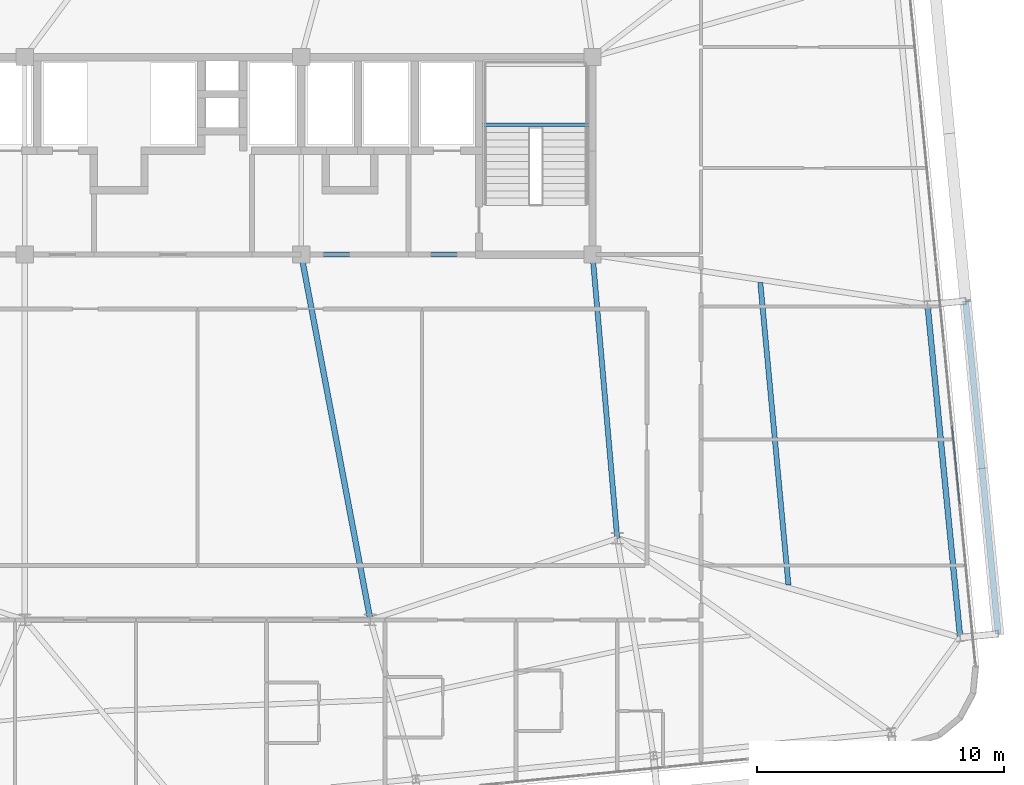
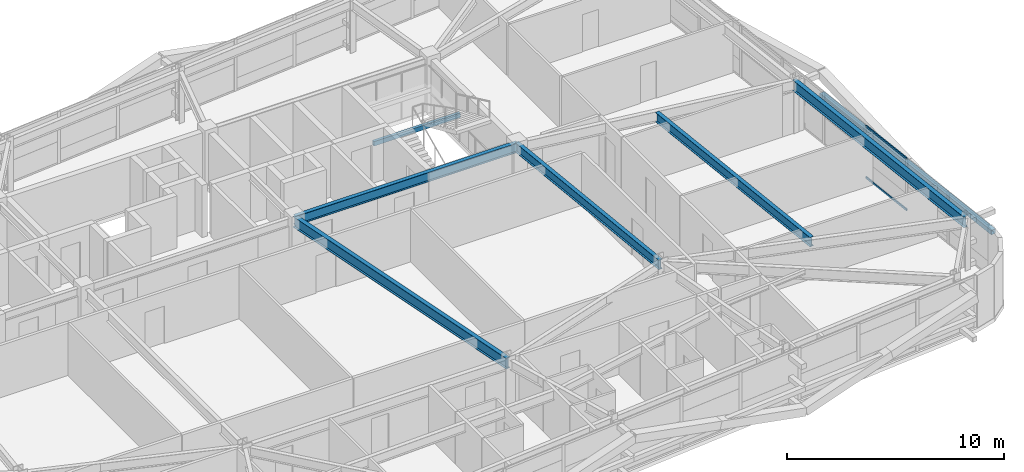
# One storey, part 23 of 53: 6 beams, 3 members, 1 element without a shape of its own.
"""IFC4 building model written with IfcOpenShell, lengths in metres."""

from ifc_helpers import new_model, si_unit, direction, frame, origin, origin_2d, place, context, subcontext, project, spatial, hollow_rectangle, i_section, extrude, source, transform, mapped, material, layer, layer_set, material_profile, profile_set, type_object, element, aggregate, save


model = new_model("IFC4")

# Units and contexts
model_context = context("Model", 3, precision=1e-05, world=origin(), true_north=direction((0.0, 1.0)))
body_context = subcontext(model_context, "Body", "Model", "MODEL_VIEW")
ifc_project = project(units=[si_unit("LENGTHUNIT", "METRE"), si_unit("AREAUNIT", "SQUARE_METRE"), si_unit("VOLUMEUNIT", "CUBIC_METRE"), si_unit("PLANEANGLEUNIT", "RADIAN"), si_unit("MASSUNIT", "GRAM", prefix="KILO")], contexts=[model_context])

# Site, building, storey
site_placement = place(None, origin())
site = spatial("IfcSite", under=ifc_project, at=site_placement, CompositionType="ELEMENT")
building_placement = place(site_placement, origin())
building = spatial("IfcBuilding", under=site, at=building_placement, Name="Taldren Reach Tower", CompositionType="ELEMENT")
storey_placement = place(building_placement, frame((0.0, 0.0, 68.25)))
storey = spatial("IfcBuildingStorey", under=building, at=storey_placement, Name="L20", CompositionType="ELEMENT", Elevation=68.25)

# Beams
ifc_material_1 = material(Name="Steel Gr 350 (350PLUS)", Category="steel")
ifc_material_profile_1 = material_profile(ifc_material_1, i_section(OverallWidth=0.208984375, OverallDepth=0.532958984375, WebThickness=0.01025390625, FlangeThickness=0.015625, at=origin_2d()), Name="530UB92.4")
ifc_profile_set_1 = profile_set([ifc_material_profile_1], Name="Steel Gr 350 (350PLUS)")
beam_type_1 = type_object("IfcBeamType", Name="BM-UB530A", PredefinedType="BEAM", material=ifc_profile_set_1)
shared_shape_1 = source(origin(), body_context, "Body", "SweptSolid", [
    extrude(i_section(OverallWidth=0.208984375, OverallDepth=0.532958984375, WebThickness=0.01025390625, FlangeThickness=0.015625, at=origin_2d()), origin(), (0.0, 0.0, 1.0), 11.800048828125),
])
beam_1_placement = place(storey_placement, frame((39.199951171875, 24.0, 2.66357421875), z_axis=(1.0, 0.0, 0.0), x_axis=(0.0, 1.0, 0.0)))
element("IfcBeam", 1, at=beam_1_placement, inside=storey, type_object=beam_type_1, Name="Core-spine girder L20-SP03", PredefinedType="BEAM", context=body_context, shape_type="MappedRepresentation", body=[
    mapped(shared_shape_1, transform((0.0, 0.0, 0.0), scale=1.0)),
])
shared_shape_2 = source(origin(), body_context, "Body", "SweptSolid", [
    extrude(i_section(OverallWidth=0.208984375, OverallDepth=0.532958984375, WebThickness=0.01025390625, FlangeThickness=0.015625, at=origin_2d()), origin(), (0.0, 0.0, 1.0), 11.54345703125),
])
beam_2_placement = place(storey_placement, frame((52.0, 12.5, 2.66357421875), z_axis=(-0.086629616365, 0.996240588196, 0.0), x_axis=(-0.996240588196, -0.086629616365, 0.0)))
element("IfcBeam", 2, at=beam_2_placement, inside=storey, type_object=beam_type_1, Name="Core-spine girder L20-SP13", PredefinedType="BEAM", context=body_context, shape_type="MappedRepresentation", body=[
    mapped(shared_shape_2, transform((0.0, 0.0, 0.0), scale=1.0)),
])
ifc_material_profile_2 = material_profile(ifc_material_1, i_section(OverallWidth=0.22802734375, OverallDepth=0.60205078125, WebThickness=0.010498046875, FlangeThickness=0.014892578125, at=origin_2d()), Name="610UB101")
ifc_profile_set_2 = profile_set([ifc_material_profile_2], Name="Steel Gr 350 (350PLUS)")
beam_type_2 = type_object("IfcBeamType", Name="BM-UB610B", PredefinedType="BEAM", material=ifc_profile_set_2)
shared_shape_3 = source(origin(), body_context, "Body", "SweptSolid", [
    extrude(i_section(OverallWidth=0.22802734375, OverallDepth=0.60205078125, WebThickness=0.010498046875, FlangeThickness=0.014892578125, at=origin_2d()), origin(), (0.0, 0.0, 1.0), 15.0625),
])
beam_3_placement = place(storey_placement, frame((39.199951171875, 24.0, 2.62890625), z_axis=(0.185894205668, -0.982569765614, 0.0), x_axis=(0.982569765614, 0.185894205668, 0.0)))
element("IfcBeam", 3, at=beam_3_placement, inside=storey, type_object=beam_type_2, Name="Core-spine girder L20-SP15", PredefinedType="BEAM", context=body_context, shape_type="MappedRepresentation", body=[
    mapped(shared_shape_3, transform((0.0, 0.0, 0.0), scale=1.0)),
])
shared_shape_4 = source(origin(), body_context, "Body", "SweptSolid", [
    extrude(i_section(OverallWidth=0.22802734375, OverallDepth=0.60205078125, WebThickness=0.010498046875, FlangeThickness=0.014892578125, at=origin_2d()), origin(), (0.0, 0.0, 1.0), 13.550048828125),
])
beam_4_placement = place(storey_placement, frame((65.8916015625, 8.483642578125, 2.62890625), z_axis=(-0.097566175139, 0.995229039703, 0.0), x_axis=(-0.995229039703, -0.097566175139, 0.0)))
element("IfcBeam", 4, at=beam_4_placement, inside=storey, type_object=beam_type_2, Name="Perimeter gable girder B2 E1-E2 L20", PredefinedType="BEAM", context=body_context, shape_type="MappedRepresentation", body=[
    mapped(shared_shape_4, transform((0.0, 0.0, 0.0), scale=1.0)),
])
shared_shape_5 = source(origin(), body_context, "Body", "SweptSolid", [
    extrude(i_section(OverallWidth=0.208984375, OverallDepth=0.532958984375, WebThickness=0.01025390625, FlangeThickness=0.015625, at=origin_2d()), origin(), (0.0, 0.0, 1.0), 12.306396484375),
])
beam_5_placement = place(storey_placement, frame((58.9345703125, 10.61376953125, 2.66357421875), z_axis=(-0.092546068089, 0.995708403741, 0.0), x_axis=(-0.995708403741, -0.092546068089, 0.0)))
element("IfcBeam", 5, at=beam_5_placement, inside=storey, type_object=beam_type_1, Name="Secondary floor beam B2 J7 L20", PredefinedType="BEAM", context=body_context, shape_type="MappedRepresentation", body=[
    mapped(shared_shape_5, transform((0.0, 0.0, 0.0), scale=1.0)),
])

# Member
ifc_material_2 = material(Name="Steel Gr 350 (C350L0)", Category="steel")
ifc_material_profile_3 = material_profile(ifc_material_2, hollow_rectangle(XDim=0.25, YDim=0.25, WallThickness=0.010009765625, at=origin_2d()), Name="250x250x10.0SHS")
ifc_profile_set_3 = profile_set([ifc_material_profile_3], Name="Steel Gr 350 (C350L0)")
member_type_1 = type_object("IfcMemberType", Name="MB-POST250", PredefinedType="POST", material=ifc_profile_set_3)
shared_shape_6 = source(origin(), body_context, "Body", "SweptSolid", [
    extrude(hollow_rectangle(XDim=0.25, YDim=0.25, WallThickness=0.010009765625, at=origin_2d()), origin(), (0.0, 0.0, 1.0), 13.550048828125),
])
member_1_placement = place(storey_placement, frame((67.434326171875, 8.634765625, 1.43505859375), z_axis=(-0.097584021339, 0.995227290009, 0.0), x_axis=(-0.995227290009, -0.097584021339, 0.0)))
element("IfcMember", 6, at=member_1_placement, inside=storey, type_object=member_type_1, Name="Exoskeleton mid-height ring chord B2-E1 L20", PredefinedType="POST", context=body_context, shape_type="MappedRepresentation", body=[
    mapped(shared_shape_6, transform((0.0, 0.0, 0.0), scale=1.0)),
])

# Curtain wall, members
ifc_material_3 = material(Name="Aluminium and Low-E Glass Unitised System", Category="aluminium")
ifc_layer = layer(ifc_material_3, 0.159912109375)
ifc_layer_set = layer_set([ifc_layer], Name="Aluminium and Low-E Glass Unitised System")
curtain_wall_type = type_object("IfcCurtainWallType", Name="CW-SYS-3", PredefinedType="NOTDEFINED", material=ifc_layer_set)
curtain_wall_placement = place(storey_placement, origin())
curtain_wall = element("IfcCurtainWall", 7, at=curtain_wall_placement, inside=storey, type_object=curtain_wall_type, Name="Unitised curtain wall CW-L20-E", PredefinedType="NOTDEFINED")
ifc_material_4 = material(Name="Anodised Aluminium 6063-T6", Category="aluminium")
ifc_material_profile_4 = material_profile(ifc_material_4, hollow_rectangle(XDim=0.054931640625, YDim=0.1201171875, WallThickness=0.0029296875, at=origin_2d()), Name="ALU-120x55x3RHS")
ifc_profile_set_4 = profile_set([ifc_material_profile_4], Name="Anodised Aluminium 6063-T6")
member_type_2 = type_object("IfcMemberType", Name="CW-TRN-135", PredefinedType="USERDEFINED", material=ifc_profile_set_4)
shared_shape_7 = source(origin(), body_context, "Body", "SweptSolid", [
    extrude(hollow_rectangle(XDim=0.054931640625, YDim=0.1201171875, WallThickness=0.0029296875, at=origin_2d()), origin(), (0.0, 0.0, 1.0), 3.212646484375),
])
member_2_placement = place(storey_placement, frame((65.87353515625, 13.895751953125, 0.027587890625), z_axis=(-0.097577327663, 0.995227946315, 0.0), x_axis=(-0.995227946315, -0.097577327663, 0.0)))
member_2 = element("IfcMember", 8, at=member_2_placement, type_object=member_type_2, Name="CW-3 transom 3.1", ObjectType="TRANSOM", PredefinedType="USERDEFINED", context=body_context, shape_type="MappedRepresentation", body=[
    mapped(shared_shape_7, transform((0.0, 0.0, 0.0), scale=1.0)),
])
member_3_placement = place(storey_placement, frame((65.87353515625, 13.895751953125, 2.902587890625), z_axis=(-0.097577327663, 0.995227946315, 0.0), x_axis=(-0.995227946315, -0.097577327663, 0.0)))
member_3 = element("IfcMember", 9, at=member_3_placement, type_object=member_type_2, Name="CW-3 transom 3.2", ObjectType="TRANSOM", PredefinedType="USERDEFINED", context=body_context, shape_type="MappedRepresentation", body=[
    mapped(shared_shape_7, transform((0.0, 0.0, 0.0), scale=1.0)),
])
aggregate(curtain_wall, [member_2, member_3])

# Beam
ifc_material_profile_5 = material_profile(ifc_material_2, hollow_rectangle(XDim=0.14990234375, YDim=0.25, WallThickness=0.009033203125, at=origin_2d()), Name="250x150x9.0RHS")
ifc_profile_set_5 = profile_set([ifc_material_profile_5], Name="Steel Gr 350 (C350L0)")
beam_type_3 = type_object("IfcBeamType", Name="LN-RHS250", PredefinedType="LINTEL", material=ifc_profile_set_5)
shared_shape_8 = source(origin(), body_context, "Body", "SweptSolid", [
    extrude(hollow_rectangle(XDim=0.14990234375, YDim=0.25, WallThickness=0.009033203125, at=origin_2d()), origin(), (0.0, 0.0, 1.0), 4.60009765625),
])
beam_6_placement = place(storey_placement, frame((46.39990234375, 29.2548828125, 1.27001953125), z_axis=(1.0, 0.0, 0.0), x_axis=(0.0, 1.0, 0.0)))
element("IfcBeam", 10, at=beam_6_placement, inside=storey, type_object=beam_type_3, Name="Stair half-landing support beam ST2-L20-1", PredefinedType="LINTEL", context=body_context, shape_type="MappedRepresentation", body=[
    mapped(shared_shape_8, transform((0.0, 0.0, 0.0), scale=1.0)),
])

save(model, "model.ifc")
